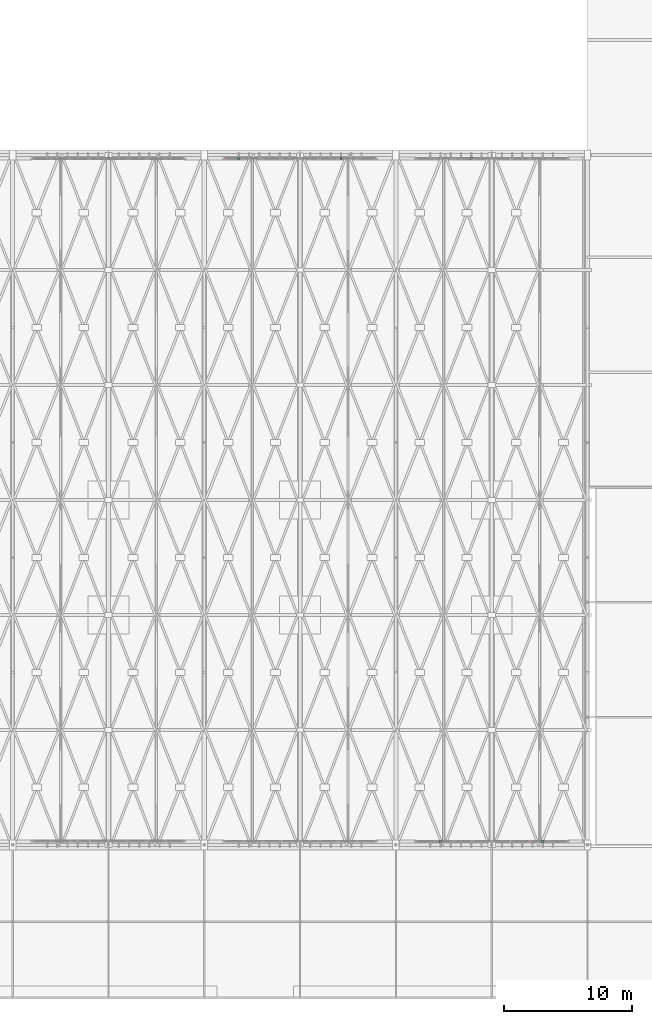
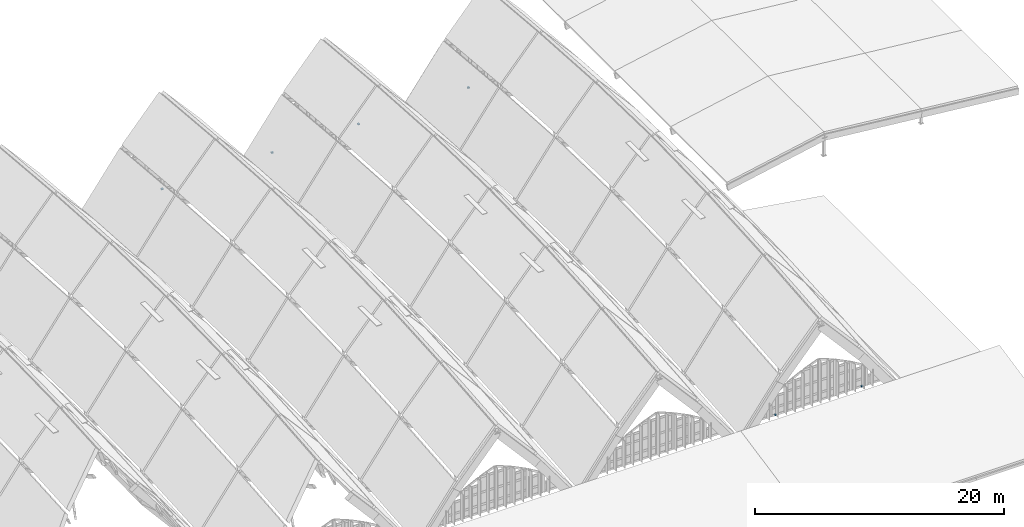
# One storey, part 82 of 93: 6 discrete accessories.
"""IFC4 building model written with IfcOpenShell, lengths in metres."""

from ifc_helpers import new_model, si_unit, direction, frame, origin, origin_2d, place, context, subcontext, project, spatial, rectangle, extrude, material, type_object, element, save


model = new_model("IFC4")

# Units and contexts
model_context = context("Model", 3, precision=1e-05, world=origin(), true_north=direction((0.0, 1.0)))
body_context = subcontext(model_context, "Body", "Model", "MODEL_VIEW")
ifc_project = project(units=[si_unit("LENGTHUNIT", "METRE"), si_unit("AREAUNIT", "SQUARE_METRE"), si_unit("VOLUMEUNIT", "CUBIC_METRE"), si_unit("PLANEANGLEUNIT", "RADIAN"), si_unit("MASSUNIT", "GRAM", prefix="KILO")], contexts=[model_context])

# Site, building, storey
site_placement = place(None, origin())
site = spatial("IfcSite", under=ifc_project, at=site_placement, CompositionType="ELEMENT")
building_placement = place(site_placement, origin())
building = spatial("IfcBuilding", under=site, at=building_placement, Name="Vourika Railside Aquatics Centre", CompositionType="ELEMENT")
storey_placement = place(building_placement, frame((0.0, 0.0, 21.89990234375)))
storey = spatial("IfcBuildingStorey", under=building, at=storey_placement, Name="Roof", CompositionType="ELEMENT", Elevation=21.89990234375)

# Discrete accessories
ifc_material = material(Name="Duplex stainless steel EN 1.4462", Category="steel")
discrete_accessory_type = type_object("IfcDiscreteAccessoryType", Name="ACC-BRK-180", PredefinedType="BRACKET", material=ifc_material)
for number, where, z_axis, x_axis, name in (
    (1, (103.5, 65.75, -11.099853515625), (0.0, 0.0, 1.0), (0.0, 1.0, 0.0), "Stainless Fin Shoe Bracket BK-012"),
    (2, (113.699951171875, 65.75, -11.099853515625), (0.0, 0.0, 1.0), (0.0, 1.0, 0.0), "Stainless Fin Shoe Bracket BK-014"),
    (3, (121.699951171875, 65.75, -11.099853515625), (0.0, 0.0, 1.0), (0.0, 1.0, 0.0), "Stainless Fin Shoe Bracket BK-015"),
    (4, (131.89990234375, 65.75, -11.099853515625), (0.0, 0.0, 1.0), (0.0, 1.0, 0.0), "Stainless Fin Shoe Bracket BK-017"),
    (5, (129.5, 12.25, -9.8798828125), (0.0, 0.0, 1.0), (0.0, -1.0, 0.0), "Stainless Fin Shoe Bracket BK-018"),
    (6, (137.5, 12.25, -9.8798828125), (0.0, 0.0, 1.0), (0.0, -1.0, 0.0), "Stainless Fin Shoe Bracket BK-019"),
):
    element("IfcDiscreteAccessory", number, at=place(storey_placement, frame(where, z_axis=z_axis, x_axis=x_axis)), inside=storey, type_object=discrete_accessory_type, Name=name, PredefinedType="BRACKET", context=body_context, shape_type="SweptSolid", body=[
        extrude(rectangle(XDim=0.179931640625, YDim=0.179931640625, at=origin_2d()), origin(), (0.0, 0.0, 1.0), 0.1201171875),
    ])

save(model, "model.ifc")
